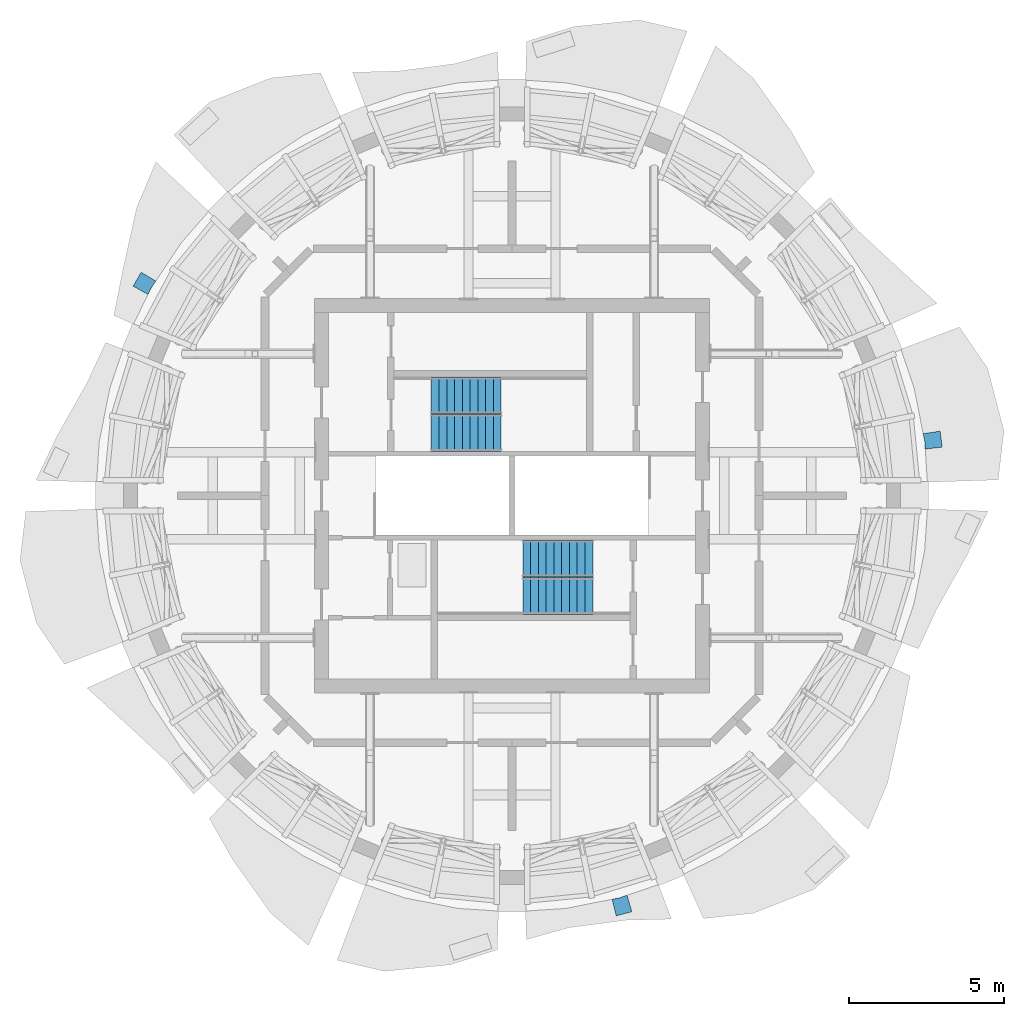
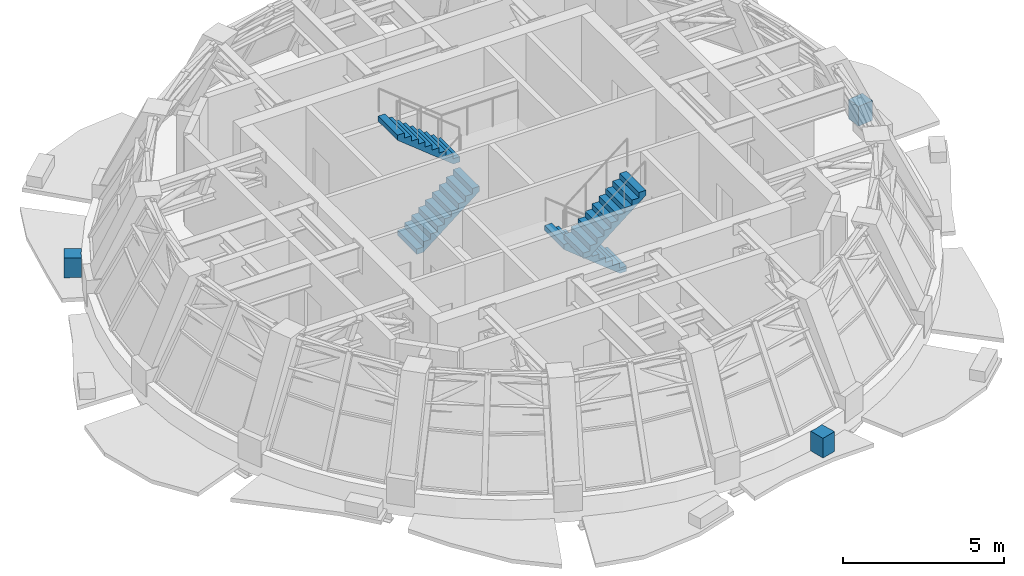
# One storey, part 10 of 12: 4 stair flights, 3 discrete accessories, 2 elements without a shape of their own.
"""IFC4 building model written with IfcOpenShell, lengths in metres."""

from ifc_helpers import new_model, si_unit, direction, frame, origin, place, context, subcontext, project, spatial, polyline, outline, extrude, material, type_object, element, aggregate, save


model = new_model("IFC4")

# Units and contexts
model_context = context("Model", 3, precision=1e-05, world=origin(), true_north=direction((0.0, 1.0)))
body_context = subcontext(model_context, "Body", "Model", "MODEL_VIEW")
ifc_project = project(units=[si_unit("LENGTHUNIT", "METRE"), si_unit("AREAUNIT", "SQUARE_METRE"), si_unit("VOLUMEUNIT", "CUBIC_METRE"), si_unit("PLANEANGLEUNIT", "RADIAN"), si_unit("MASSUNIT", "GRAM", prefix="KILO")], contexts=[model_context])

# Site, building, storey
site_placement = place(None, origin())
site = spatial("IfcSite", under=ifc_project, at=site_placement, CompositionType="ELEMENT")
building_placement = place(site_placement, origin())
building = spatial("IfcBuilding", under=site, at=building_placement, Name="Polderwave Tower", CompositionType="ELEMENT")
storey_placement = place(building_placement, frame((0.0, 0.0, 235.39990234375)))
storey = spatial("IfcBuildingStorey", under=building, at=storey_placement, Name="L64", CompositionType="ELEMENT", Elevation=235.39990234375)

# Stair, stair flights
ifc_material_1 = material(Name="Concrete C40/50", Category="concrete")
stair_type = type_object("IfcStairType", Name="Exit stair 1200 x 20 risers", PredefinedType="HALF_TURN_STAIR", material=ifc_material_1)
stair_1_placement = place(storey_placement, origin())
stair_1 = element("IfcStair", 1, at=stair_1_placement, inside=storey, type_object=stair_type, Name="L64 Exit stair S1", PredefinedType="HALF_TURN_STAIR")
stair_flight_type = type_object("IfcStairFlightType", Name="Stair flight 1200", PredefinedType="STRAIGHT", material=ifc_material_1)
stair_flight_1_placement = place(storey_placement, frame((-2.60009765625, 2.02490234375, 0.0), z_axis=(0.0, 0.0, 1.0), x_axis=(1.0, 0.0, 0.0)))
stair_flight_1 = element("IfcStairFlight", 2, at=stair_flight_1_placement, type_object=stair_flight_type, Name="ST-S1 flight 1", NumberOfRisers=10, NumberOfTreads=9, PredefinedType="STRAIGHT", RiserHeight=0.2, TreadLength=0.25, context=body_context, shape_type="SweptSolid", body=[
    extrude(outline(polyline([(0.0, 0.0), (0.0, 0.199951171875), (0.25, 0.199951171875), (0.25, 0.39990234375), (0.5, 0.39990234375), (0.5, 0.60009765625), (0.75, 0.60009765625), (0.75, 0.800048828125), (1.0, 0.800048828125), (1.0, 1.0), (1.25, 1.0), (1.25, 1.199951171875), (1.5, 1.199951171875), (1.5, 1.39990234375), (1.75, 1.39990234375), (1.75, 1.60009765625), (2.0, 1.60009765625), (2.0, 1.800048828125), (2.25, 1.800048828125), (2.25, 2.0), (2.25, 1.60791015625), (0.239990234375, 0.0), (0.0, 0.0)])), frame((0.0, 0.60009765625, 0.0), z_axis=(0.0, -1.0, 0.0), x_axis=(1.0, 0.0, 0.0)), (0.0, 0.0, 1.0), 1.199951171875),
])
stair_flight_2_placement = place(storey_placement, frame((-0.35009765625, 3.22509765625, 2.0), z_axis=(0.0, 0.0, 1.0), x_axis=(-1.0, 0.0, 0.0)))
stair_flight_2 = element("IfcStairFlight", 3, at=stair_flight_2_placement, type_object=stair_flight_type, Name="ST-S1 flight 2", NumberOfRisers=10, NumberOfTreads=9, PredefinedType="STRAIGHT", RiserHeight=0.2, TreadLength=0.25, context=body_context, shape_type="SweptSolid", body=[
    extrude(outline(polyline([(0.0, 0.0), (0.0, 0.199951171875), (0.25, 0.199951171875), (0.25, 0.39990234375), (0.5, 0.39990234375), (0.5, 0.60009765625), (0.75, 0.60009765625), (0.75, 0.800048828125), (1.0, 0.800048828125), (1.0, 1.0), (1.25, 1.0), (1.25, 1.199951171875), (1.5, 1.199951171875), (1.5, 1.39990234375), (1.75, 1.39990234375), (1.75, 1.60009765625), (2.0, 1.60009765625), (2.0, 1.800048828125), (2.25, 1.800048828125), (2.25, 2.0), (2.25, 1.60791015625), (0.239990234375, 0.0), (0.0, 0.0)])), frame((0.0, 0.60009765625, 0.0), z_axis=(0.0, -1.0, 0.0), x_axis=(1.0, 0.0, 0.0)), (0.0, 0.0, 1.0), 1.199951171875),
])
aggregate(stair_1, [stair_flight_1, stair_flight_2])

stair_2_placement = place(storey_placement, origin())
stair_2 = element("IfcStair", 4, at=stair_2_placement, inside=storey, type_object=stair_type, Name="L64 Exit stair S2", PredefinedType="HALF_TURN_STAIR")
stair_flight_3_placement = place(storey_placement, frame((2.60009765625, -2.02490234375, 0.0), z_axis=(0.0, 0.0, 1.0), x_axis=(-1.0, 0.0, 0.0)))
stair_flight_3 = element("IfcStairFlight", 5, at=stair_flight_3_placement, type_object=stair_flight_type, Name="ST-S2 flight 1", NumberOfRisers=10, NumberOfTreads=9, PredefinedType="STRAIGHT", RiserHeight=0.2, TreadLength=0.25, context=body_context, shape_type="SweptSolid", body=[
    extrude(outline(polyline([(0.0, 0.0), (0.0, 0.199951171875), (0.25, 0.199951171875), (0.25, 0.39990234375), (0.5, 0.39990234375), (0.5, 0.60009765625), (0.75, 0.60009765625), (0.75, 0.800048828125), (1.0, 0.800048828125), (1.0, 1.0), (1.25, 1.0), (1.25, 1.199951171875), (1.5, 1.199951171875), (1.5, 1.39990234375), (1.75, 1.39990234375), (1.75, 1.60009765625), (2.0, 1.60009765625), (2.0, 1.800048828125), (2.25, 1.800048828125), (2.25, 2.0), (2.25, 1.60791015625), (0.239990234375, 0.0), (0.0, 0.0)])), frame((0.0, 0.60009765625, 0.0), z_axis=(0.0, -1.0, 0.0), x_axis=(1.0, 0.0, 0.0)), (0.0, 0.0, 1.0), 1.199951171875),
])
stair_flight_4_placement = place(storey_placement, frame((0.35009765625, -3.22509765625, 2.0), z_axis=(0.0, 0.0, 1.0), x_axis=(1.0, 0.0, 0.0)))
stair_flight_4 = element("IfcStairFlight", 6, at=stair_flight_4_placement, type_object=stair_flight_type, Name="ST-S2 flight 2", NumberOfRisers=10, NumberOfTreads=9, PredefinedType="STRAIGHT", RiserHeight=0.2, TreadLength=0.25, context=body_context, shape_type="SweptSolid", body=[
    extrude(outline(polyline([(0.0, 0.0), (0.0, 0.199951171875), (0.25, 0.199951171875), (0.25, 0.39990234375), (0.5, 0.39990234375), (0.5, 0.60009765625), (0.75, 0.60009765625), (0.75, 0.800048828125), (1.0, 0.800048828125), (1.0, 1.0), (1.25, 1.0), (1.25, 1.199951171875), (1.5, 1.199951171875), (1.5, 1.39990234375), (1.75, 1.39990234375), (1.75, 1.60009765625), (2.0, 1.60009765625), (2.0, 1.800048828125), (2.25, 1.800048828125), (2.25, 2.0), (2.25, 1.60791015625), (0.239990234375, 0.0), (0.0, 0.0)])), frame((0.0, 0.60009765625, 0.0), z_axis=(0.0, -1.0, 0.0), x_axis=(1.0, 0.0, 0.0)), (0.0, 0.0, 1.0), 1.199951171875),
])
aggregate(stair_2, [stair_flight_3, stair_flight_4])

# Discrete accessories
ifc_material_2 = material(Name="Steel S355", Category="steel")
discrete_accessory_type = type_object("IfcDiscreteAccessoryType", Name="Band bracket pad", PredefinedType="BRACKET", material=ifc_material_2)
discrete_accessory_1_placement = place(storey_placement, frame((0.0, 0.0, -0.75)))
element("IfcDiscreteAccessory", 7, at=discrete_accessory_1_placement, inside=storey, type_object=discrete_accessory_type, Name="Band bracket L64 1", PredefinedType="BRACKET", context=body_context, shape_type="SweptSolid", body=[
    extrude(outline(polyline([(13.3017578125, 1.49951171875), (13.285400390625, 1.7490234375), (13.236572265625, 1.994140625), (13.780517578125, 2.076171875), (13.84814453125, 1.561279296875), (13.3017578125, 1.49951171875)])), origin(), (0.0, 0.0, 1.0), 0.75),
])
discrete_accessory_2_placement = place(storey_placement, frame((0.0, 0.0, -0.75)))
element("IfcDiscreteAccessory", 8, at=discrete_accessory_2_placement, inside=storey, type_object=discrete_accessory_type, Name="Band bracket L64 7", PredefinedType="BRACKET", context=body_context, shape_type="SweptSolid", body=[
    extrude(outline(polyline([(-11.4658203125, 6.907958984375), (-11.604736328125, 6.699951171875), (-11.71533203125, 6.475830078125), (-12.19677734375, 6.741943359375), (-11.93701171875, 7.191650390625), (-11.4658203125, 6.907958984375)])), origin(), (0.0, 0.0, 1.0), 0.75),
])
discrete_accessory_3_placement = place(storey_placement, frame((0.0, 0.0, -0.75)))
element("IfcDiscreteAccessory", 9, at=discrete_accessory_3_placement, inside=storey, type_object=discrete_accessory_type, Name="Band bracket L64 13", PredefinedType="BRACKET", context=body_context, shape_type="SweptSolid", body=[
    extrude(outline(polyline([(3.222900390625, -12.9921875), (3.46826171875, -12.943359375), (3.704833984375, -12.863037109375), (3.857177734375, -13.3916015625), (3.35546875, -13.52587890625), (3.222900390625, -12.9921875)])), origin(), (0.0, 0.0, 1.0), 0.75),
])

save(model, "model.ifc")
